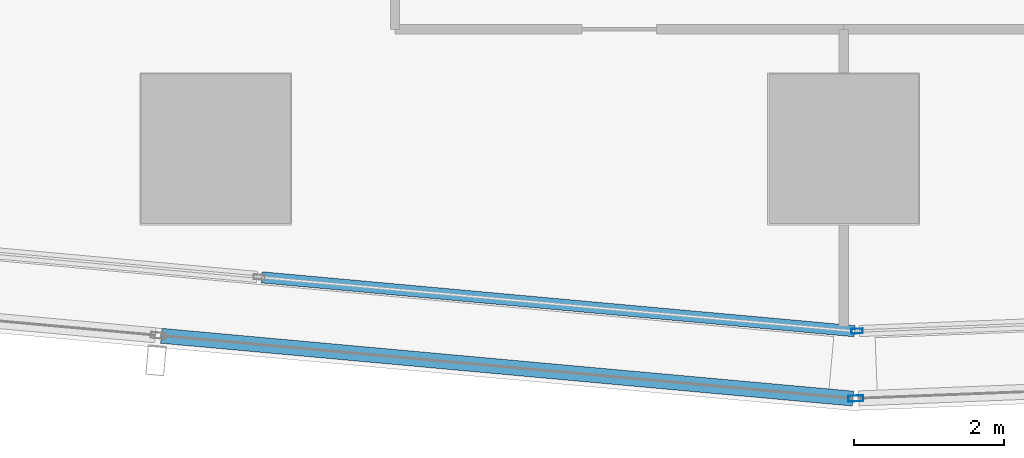
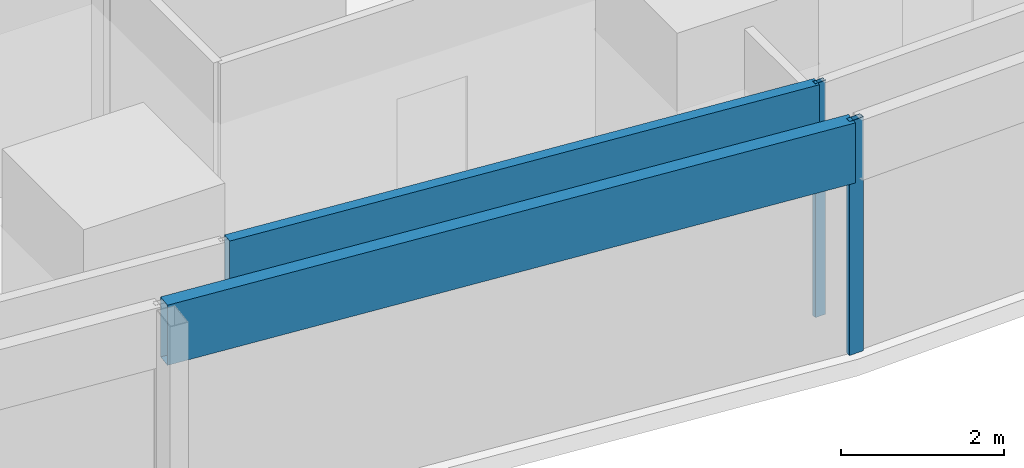
# One storey, part 3 of 36: 4 members, 4 elements without a shape of their own.
"""IFC4 building model written with IfcOpenShell, lengths in metres."""

from ifc_helpers import new_model, si_unit, direction, frame, origin, origin_2d, place, context, subcontext, project, spatial, hollow_rectangle, extrude, material, material_profile, profile_set, type_object, element, aggregate, save


model = new_model("IFC4")

# Units and contexts
model_context = context("Model", 3, precision=1e-05, world=origin(), true_north=direction((0.0, 1.0)))
body_context = subcontext(model_context, "Body", "Model", "MODEL_VIEW")
ifc_project = project(units=[si_unit("LENGTHUNIT", "METRE"), si_unit("AREAUNIT", "SQUARE_METRE"), si_unit("VOLUMEUNIT", "CUBIC_METRE"), si_unit("PLANEANGLEUNIT", "RADIAN"), si_unit("MASSUNIT", "GRAM", prefix="KILO")], contexts=[model_context])

# Site, building, storey
site_placement = place(None, origin())
site = spatial("IfcSite", under=ifc_project, at=site_placement, CompositionType="ELEMENT")
building_placement = place(site_placement, origin())
building = spatial("IfcBuilding", under=site, at=building_placement, Name="Rekha Terrace Tower", CompositionType="ELEMENT")
storey_placement = place(building_placement, frame((0.0, 0.0, 144.050048828125)))
storey = spatial("IfcBuildingStorey", under=building, at=storey_placement, Name="L36", CompositionType="ELEMENT", Elevation=144.050048828125)

# Curtain wall, member
ifc_material_1 = material(Name="Aluminium framing", Category="aluminium")
curtain_wall_type_1 = type_object("IfcCurtainWallType", Name="CW1 double skin inner glazing", PredefinedType="USERDEFINED", material=ifc_material_1)
curtain_wall_1_placement = place(storey_placement, origin())
curtain_wall_1 = element("IfcCurtainWall", 1, at=curtain_wall_1_placement, inside=storey, type_object=curtain_wall_type_1, Name="CW1 double skin inner glazing", ObjectType="DOUBLE SKIN INNER GLAZING", PredefinedType="USERDEFINED")
ifc_material_2 = material(Name="Aluminium mullion section", Category="aluminium")
ifc_material_profile_1 = material_profile(ifc_material_2, hollow_rectangle(XDim=0.06494140625, YDim=0.14990234375, WallThickness=0.00390625, at=origin_2d()), Name="AL RHS 65x150")
ifc_profile_set_1 = profile_set([ifc_material_profile_1], Name="Aluminium mullion section")
member_type_1 = type_object("IfcMemberType", Name="CW1 mullion RHS 65 x 150", PredefinedType="MULLION", material=ifc_profile_set_1)
member_1_placement = place(storey_placement, frame((25.3798828125, 14.363037109375, 0.0), z_axis=(0.0, 0.0, 1.0), x_axis=(-0.038889971328, 0.999243498918, 0.0)))
member_1 = element("IfcMember", 2, at=member_1_placement, type_object=member_type_1, Name="CW1 mullion 1", PredefinedType="MULLION", context=body_context, shape_type="SweptSolid", body=[
    extrude(hollow_rectangle(XDim=0.06494140625, YDim=0.14990234375, WallThickness=0.00390625, at=origin_2d()), origin(), (0.0, 0.0, 1.0), 3.5),
])
aggregate(curtain_wall_1, [member_1])

curtain_wall_2_placement = place(storey_placement, origin())
curtain_wall_2 = element("IfcCurtainWall", 3, at=curtain_wall_2_placement, inside=storey, type_object=curtain_wall_type_1, Name="CW1 double skin inner glazing", ObjectType="DOUBLE SKIN INNER GLAZING", PredefinedType="USERDEFINED")
ifc_material_3 = material(Name="Insulated aluminium spandrel box", Category="aluminium")
ifc_material_profile_2 = material_profile(ifc_material_3, hollow_rectangle(XDim=0.14990234375, YDim=0.89990234375, WallThickness=0.0029296875, at=origin_2d()), Name="AL SPANDREL BOX 150x900")
ifc_profile_set_2 = profile_set([ifc_material_profile_2], Name="Insulated aluminium spandrel box")
member_type_2 = type_object("IfcMemberType", Name="CW1 spandrel transom 150 x 900", PredefinedType="USERDEFINED", material=ifc_profile_set_2)
member_2_placement = place(storey_placement, frame((17.41650390625, 15.08203125, 3.050048828125), z_axis=(0.995901996892, -0.090438999256, 0.0), x_axis=(0.090438999256, 0.995901996892, 0.0)))
member_2 = element("IfcMember", 4, at=member_2_placement, type_object=member_type_2, Name="CW1 spandrel transom 2", ObjectType="TRANSOM", PredefinedType="USERDEFINED", context=body_context, shape_type="SweptSolid", body=[
    extrude(hollow_rectangle(XDim=0.14990234375, YDim=0.89990234375, WallThickness=0.0029296875, at=origin_2d()), origin(), (0.0, 0.0, 1.0), 7.963623046875),
])
aggregate(curtain_wall_2, [member_2])

curtain_wall_type_2 = type_object("IfcCurtainWallType", Name="CW2 double skin outer glazing", PredefinedType="USERDEFINED", material=ifc_material_1)
curtain_wall_3_placement = place(storey_placement, origin())
curtain_wall_3 = element("IfcCurtainWall", 5, at=curtain_wall_3_placement, inside=storey, type_object=curtain_wall_type_2, Name="CW2 double skin outer glazing", ObjectType="DOUBLE SKIN OUTER GLAZING", PredefinedType="USERDEFINED")
ifc_material_profile_3 = material_profile(ifc_material_2, hollow_rectangle(XDim=0.080078125, YDim=0.199951171875, WallThickness=0.00390625, at=origin_2d()), Name="AL RHS 80x200")
ifc_profile_set_3 = profile_set([ifc_material_profile_3], Name="Aluminium mullion section")
member_type_3 = type_object("IfcMemberType", Name="CW2 mullion RHS 80 x 200", PredefinedType="MULLION", material=ifc_profile_set_3)
member_3_placement = place(storey_placement, frame((25.364013671875, 13.4619140625, 0.0), z_axis=(0.0, 0.0, 1.0), x_axis=(-0.038889971345, 0.999243498917, 0.0)))
member_3 = element("IfcMember", 6, at=member_3_placement, type_object=member_type_3, Name="CW2 mullion 1", PredefinedType="MULLION", context=body_context, shape_type="SweptSolid", body=[
    extrude(hollow_rectangle(XDim=0.080078125, YDim=0.199951171875, WallThickness=0.00390625, at=origin_2d()), origin(), (0.0, 0.0, 1.0), 3.5),
])
aggregate(curtain_wall_3, [member_3])

curtain_wall_4_placement = place(storey_placement, origin())
curtain_wall_4 = element("IfcCurtainWall", 7, at=curtain_wall_4_placement, inside=storey, type_object=curtain_wall_type_2, Name="CW2 double skin outer glazing", ObjectType="DOUBLE SKIN OUTER GLAZING", PredefinedType="USERDEFINED")
ifc_material_profile_4 = material_profile(ifc_material_3, hollow_rectangle(XDim=0.199951171875, YDim=0.89990234375, WallThickness=0.0029296875, at=origin_2d()), Name="AL SPANDREL BOX 200x900")
ifc_profile_set_4 = profile_set([ifc_material_profile_4], Name="Insulated aluminium spandrel box")
member_type_4 = type_object("IfcMemberType", Name="CW2 spandrel transom 200 x 900", PredefinedType="USERDEFINED", material=ifc_profile_set_4)
member_4_placement = place(storey_placement, frame((16.072265625, 14.300537109375, 3.050048828125), z_axis=(0.995900527097, -0.090455182982, 0.0), x_axis=(0.090455182982, 0.995900527097, 0.0)))
member_4 = element("IfcMember", 8, at=member_4_placement, type_object=member_type_4, Name="CW2 spandrel transom 2", ObjectType="TRANSOM", PredefinedType="USERDEFINED", context=body_context, shape_type="SweptSolid", body=[
    extrude(hollow_rectangle(XDim=0.199951171875, YDim=0.89990234375, WallThickness=0.0029296875, at=origin_2d()), origin(), (0.0, 0.0, 1.0), 9.2900390625),
])
aggregate(curtain_wall_4, [member_4])

save(model, "model.ifc")
